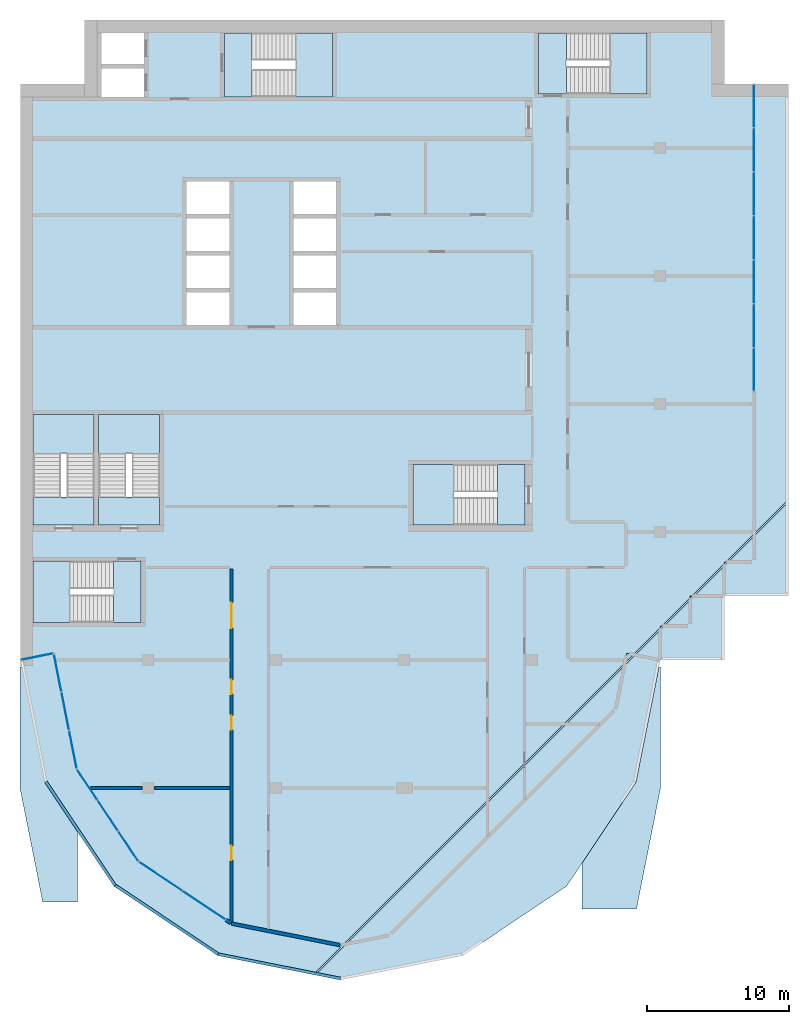
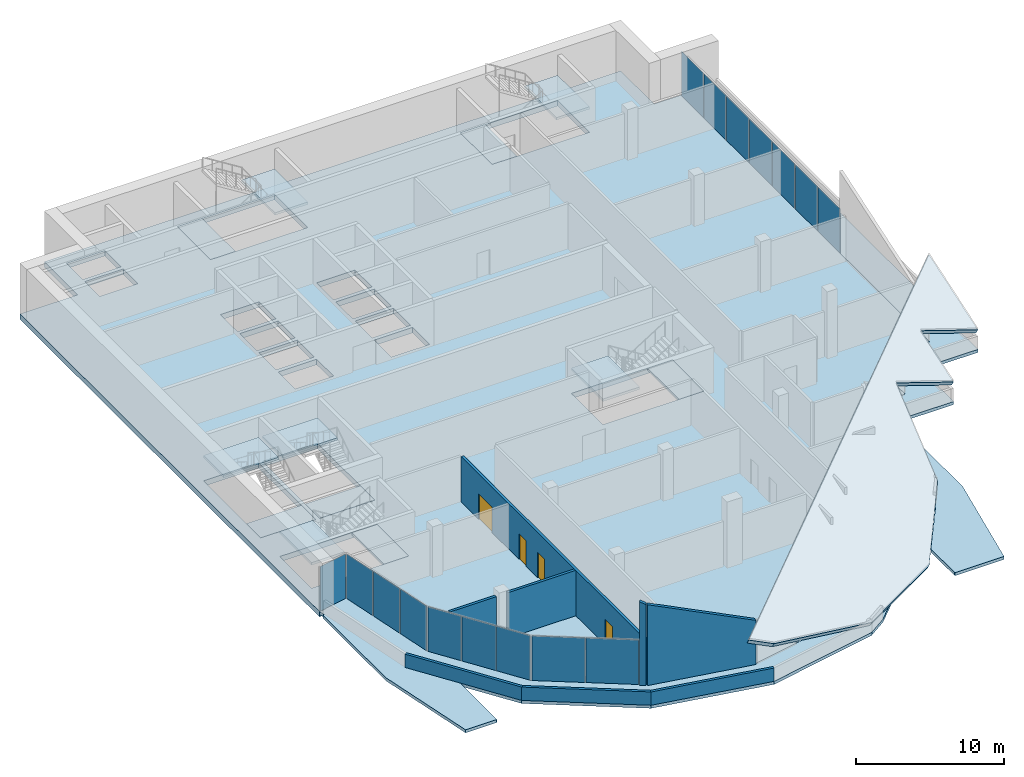
# One storey, part 4 of 11: 16 plates, 15 slabs, 8 walls, 4 doors, 4 openings, 11 elements without a shape of their own.
"""IFC4 building model written with IfcOpenShell, lengths in metres."""

import ifcopenshell
import ifcopenshell.guid

model = None  # the IFC model being written
_history = None  # IfcOwnerHistory: only IFC2X3 demands one
_inside = {}  # id of a spatial element -> (the spatial element, [elements in it])
_under = {}  # id of a project, library or spatial element -> (it, [spatial elements below it])
_declared = {}  # id of a project -> (the project, [libraries it declares])
_typed = {}  # id of a type object -> (the type object, [elements of that type])
_made_of = {}  # id of a material, layer set ... -> (it, [elements and type objects made of it])


def new_model(schema):
    """Start an empty IFC model of exactly this schema.

    Asked for "IFC4X3", IfcOpenShell would pick the latest addendum, in which some entities
    have other attributes; the version numbers below select the first issue.
    IFC2X3 requires an IfcOwnerHistory on every rooted entity: one is made here for all.
    """
    global model, _history
    if schema == "IFC4X3":
        model = ifcopenshell.file(schema_version=(4, 3, 0, 0))
    else:
        model = ifcopenshell.file(schema=schema)
    _inside.clear()
    _under.clear()
    _declared.clear()
    _typed.clear()
    _made_of.clear()
    _history = None
    if model.schema == "IFC2X3":
        org = make("IfcOrganization", Name="unknown")
        user = make(
            "IfcPersonAndOrganization",
            ThePerson=make("IfcPerson", FamilyName="unknown"),
            TheOrganization=org,
        )
        app = make(
            "IfcApplication",
            ApplicationDeveloper=org,
            Version="unknown",
            ApplicationFullName="unknown",
            ApplicationIdentifier="unknown",
        )
        _history = make(
            "IfcOwnerHistory",
            OwningUser=user,
            OwningApplication=app,
            ChangeAction="ADDED",
            CreationDate=0,
        )
    return model


def make(cls, **values):
    """One entity of the class cls with the attributes given. An attribute that is None is left unset."""
    return model.create_entity(
        cls, **{name: value for name, value in values.items() if value is not None}
    )


def rooted(cls, **values):
    """An entity with a GlobalId (a new one), such as an element, a storey or a relation."""
    return make(cls, GlobalId=ifcopenshell.guid.new(), OwnerHistory=_history, **values)


def si_unit(unit_type, name, prefix=None):
    """IfcSIUnit, for example si_unit("LENGTHUNIT", "METRE", prefix="MILLI")."""
    return make("IfcSIUnit", UnitType=unit_type, Prefix=prefix, Name=name)


def assignment(units):
    """IfcUnitAssignment: the units of a project."""
    return None if units is None else make("IfcUnitAssignment", Units=units)


def point(xyz):
    """IfcCartesianPoint."""
    return None if xyz is None else make("IfcCartesianPoint", Coordinates=xyz)


def direction(xyz):
    """IfcDirection."""
    return None if xyz is None else make("IfcDirection", DirectionRatios=xyz)


def frame(location, z_axis=None, x_axis=None):
    """IfcAxis2Placement3D, a coordinate frame: its origin and axes. An axis left out is left unset."""
    return make(
        "IfcAxis2Placement3D",
        Location=point(location),
        Axis=direction(z_axis),
        RefDirection=direction(x_axis),
    )


def frame_2d(location, x_axis=None):
    """IfcAxis2Placement2D, a coordinate frame in the plane: its origin and x axis."""
    return make(
        "IfcAxis2Placement2D", Location=point(location), RefDirection=direction(x_axis)
    )


def origin():
    """The frame at (0, 0, 0) with its axes left unset."""
    return frame((0.0, 0.0, 0.0))


def origin_2d():
    """The frame at (0, 0) in the plane with its x axis left unset."""
    return frame_2d((0.0, 0.0))


def place(relative_to, where):
    """IfcLocalPlacement: puts the frame where relative to a parent placement (None: the world)."""
    return make(
        "IfcLocalPlacement", PlacementRelTo=relative_to, RelativePlacement=where
    )


def context(
    kind, dimensions, precision=None, world=None, true_north=None, identifier=None
):
    """IfcGeometricRepresentationContext, for example the 3D "Model" context."""
    return make(
        "IfcGeometricRepresentationContext",
        ContextIdentifier=identifier,
        ContextType=kind,
        CoordinateSpaceDimension=dimensions,
        Precision=precision,
        WorldCoordinateSystem=world,
        TrueNorth=true_north,
    )


def subcontext(parent, identifier, kind, view, scale=None):
    """IfcGeometricRepresentationSubContext, for example "Body" below "Model"."""
    return make(
        "IfcGeometricRepresentationSubContext",
        ContextIdentifier=identifier,
        ContextType=kind,
        ParentContext=parent,
        TargetScale=scale,
        TargetView=view,
    )


def project(units=None, contexts=None):
    """IfcProject with its units and contexts."""
    return rooted(
        "IfcProject",
        Name="project",
        RepresentationContexts=contexts,
        UnitsInContext=assignment(units),
    )


def spatial(cls, under=None, at=None, **own):
    """A site, building, storey or space (cls), placed at a placement, below another one or the project."""
    s = rooted(cls, ObjectPlacement=at, **own)
    if under is not None:
        _under.setdefault(under.id(), (under, []))[1].append(s)
    return s


def polyline(points):
    """IfcPolyline through the points."""
    return make("IfcPolyline", Points=[point(p) for p in points])


def profile(cls, at=None, kind="AREA", **sizes):
    """A parametric profile (cls). Its sizes go by their IFC names, for example OverallWidth=200.0."""
    return make(cls, ProfileType=kind, Position=at, **sizes)


def rectangle(**sizes):
    """IfcRectangleProfileDef."""
    return profile("IfcRectangleProfileDef", **sizes)


def outline(outer, holes=None, kind="AREA"):
    """IfcArbitraryClosedProfileDef: a profile drawn as a closed curve; with holes, ...WithVoids."""
    if holes is None:
        return make("IfcArbitraryClosedProfileDef", ProfileType=kind, OuterCurve=outer)
    return make(
        "IfcArbitraryProfileDefWithVoids",
        ProfileType=kind,
        OuterCurve=outer,
        InnerCurves=holes,
    )


def extrude(swept, where, along, depth):
    """IfcExtrudedAreaSolid: the profile swept, set in the frame where, extruded along a direction by depth."""
    return make(
        "IfcExtrudedAreaSolid",
        SweptArea=swept,
        Position=where,
        ExtrudedDirection=direction(along),
        Depth=depth,
    )


def shape(context_of_items, identifier, shape_type, items):
    """IfcShapeRepresentation: the items that make up one representation, for example the "Body"."""
    return make(
        "IfcShapeRepresentation",
        ContextOfItems=context_of_items,
        RepresentationIdentifier=identifier,
        RepresentationType=shape_type,
        Items=items,
    )


def material(Name=None, Category=None):
    """IfcMaterial."""
    return make("IfcMaterial", Name=Name, Category=Category)


def layer(
    of_material, thickness, ventilated=None, Name=None, Category=None, Priority=None
):
    """IfcMaterialLayer: one layer of a wall or slab, of a material (None: an air gap)."""
    return make(
        "IfcMaterialLayer",
        Material=of_material,
        LayerThickness=thickness,
        IsVentilated=ventilated,
        Name=Name,
        Category=Category,
        Priority=Priority,
    )


def layer_set(layers, Name=None):
    """IfcMaterialLayerSet."""
    return make("IfcMaterialLayerSet", MaterialLayers=layers, LayerSetName=Name)


def made_of(thing, what):
    """Note that an element or type object is made of a material, layer set ...; save() writes the relation."""
    if what is not None:
        _made_of.setdefault(what.id(), (what, []))[1].append(thing)
    return thing


def type_object(cls, material=None, **own):
    """A type object (cls), such as IfcWallType, which elements share."""
    return made_of(rooted(cls, **own), material)


def element(
    cls,
    number,
    at=None,
    inside=None,
    cuts=None,
    type_object=None,
    material=None,
    context=None,
    identifier="Body",
    shape_type=None,
    held_by="IfcProductDefinitionShape",
    body=None,
    shapes=None,
    **own,
):
    """One element of the class cls, such as IfcWall. Its Tag is "e" and its number.

    at: its placement. inside: the storey or other place that contains it. cuts: it is an
    opening in that element (IfcRelVoidsElement). A single representation is given by context,
    identifier, shape_type and body (its items); several are given by shapes. held_by: the class
    of the entity that holds the representations. save() writes the other relations.
    """
    e = rooted(cls, Tag="e%d" % number, ObjectPlacement=at, **own)
    if body is not None:
        shapes = [shape(context, identifier, shape_type, body)]
    if shapes is not None:
        e.Representation = make(held_by, Representations=shapes)
    if inside is not None:
        _inside.setdefault(inside.id(), (inside, []))[1].append(e)
    if cuts is not None:
        rooted(
            "IfcRelVoidsElement", RelatingBuildingElement=cuts, RelatedOpeningElement=e
        )
    if type_object is not None:
        _typed.setdefault(type_object.id(), (type_object, []))[1].append(e)
    return made_of(e, material)


def fill(opening, filler):
    """IfcRelFillsElement: the door or window that sits in an opening."""
    return rooted(
        "IfcRelFillsElement",
        RelatingOpeningElement=opening,
        RelatedBuildingElement=filler,
    )


def aggregate(whole, parts):
    """IfcRelAggregates: a whole, such as a stair, and the parts it consists of."""
    return rooted("IfcRelAggregates", RelatingObject=whole, RelatedObjects=parts)


def save(model, path):
    """Write the relations noted so far, then the file.

    IfcRelAggregates (storeys below a building ...), IfcRelContainedInSpatialStructure (elements
    in a storey), IfcRelDefinesByType, IfcRelAssociatesMaterial and IfcRelDeclares: one each for
    every whole, place, type object, material and project.
    """
    for whole, parts in _under.values():
        aggregate(whole, parts)
    for where, things in _inside.values():
        rooted(
            "IfcRelContainedInSpatialStructure",
            RelatedElements=things,
            RelatingStructure=where,
        )
    for kind, things in _typed.values():
        rooted("IfcRelDefinesByType", RelatedObjects=things, RelatingType=kind)
    for what, things in _made_of.values():
        rooted("IfcRelAssociatesMaterial", RelatedObjects=things, RelatingMaterial=what)
    for by, libraries in _declared.values():
        rooted("IfcRelDeclares", RelatingContext=by, RelatedDefinitions=libraries)
    model.write(path)


model = new_model("IFC4")

# Units and contexts
model_context = context("Model", 3, precision=1e-05, world=origin(), true_north=direction((0.0, 1.0)))
body_context = subcontext(model_context, "Body", "Model", "MODEL_VIEW")
ifc_project = project(units=[si_unit("LENGTHUNIT", "METRE"), si_unit("AREAUNIT", "SQUARE_METRE"), si_unit("VOLUMEUNIT", "CUBIC_METRE"), si_unit("PLANEANGLEUNIT", "RADIAN"), si_unit("MASSUNIT", "GRAM", prefix="KILO")], contexts=[model_context])

# Site, building, storey
site_placement = place(None, origin())
site = spatial("IfcSite", under=ifc_project, at=site_placement, CompositionType="ELEMENT")
building_placement = place(site_placement, origin())
building = spatial("IfcBuilding", under=site, at=building_placement, Name="Hunhe Ridgeline Campus", CompositionType="ELEMENT")
storey_placement = place(building_placement, frame((0.0, 0.0, 303.0)))
storey = spatial("IfcBuildingStorey", under=building, at=storey_placement, Name="L78 Crown", CompositionType="ELEMENT", Elevation=303.0)

# Curtain wall, plate
ifc_material_1 = material(Name="Aluminium 6063", Category="aluminium")
curtain_wall_type = type_object("IfcCurtainWallType", Name="Curtain wall CW-3", PredefinedType="NOTDEFINED", material=ifc_material_1)
curtain_wall_1_placement = place(storey_placement, origin())
curtain_wall_1 = element("IfcCurtainWall", 1, at=curtain_wall_1_placement, inside=storey, type_object=curtain_wall_type, Name="Curtain wall 01", PredefinedType="NOTDEFINED")
ifc_material_2 = material(Name="Low-e laminated glass", Category="glass")
ifc_layer_1 = layer(ifc_material_2, 0.028076171875)
ifc_layer_set_1 = layer_set([ifc_layer_1], Name="Curtain wall glass panel 28 low-e laminated")
plate_type = type_object("IfcPlateType", Name="Curtain wall glass panel 28 low-e laminated", PredefinedType="CURTAIN_PANEL", material=ifc_layer_set_1)
plate_1_placement = place(storey_placement, frame((1.177490234375, 54.23486328125, 0.0), z_axis=(0.0, 0.0, 1.0), x_axis=(0.980842962855, 0.194800108362, 0.0)))
plate_1 = element("IfcPlate", 2, at=plate_1_placement, type_object=plate_type, Name="CW-3 panel 1", PredefinedType="CURTAIN_PANEL", context=body_context, shape_type="SweptSolid", body=[
    extrude(rectangle(XDim=2.2607421875, YDim=0.028076171875, at=origin_2d()), origin(), (0.0, 0.0, 1.0), 3.679931640625),
])
aggregate(curtain_wall_1, [plate_1])

# Curtain wall, plates
curtain_wall_2_placement = place(storey_placement, origin())
curtain_wall_2 = element("IfcCurtainWall", 3, at=curtain_wall_2_placement, inside=storey, type_object=curtain_wall_type, Name="Curtain wall 02", PredefinedType="NOTDEFINED")
plate_2_placement = place(storey_placement, frame((2.628173828125, 53.094482421875, 0.0), z_axis=(0.0, 0.0, 1.0), x_axis=(0.195095347137, -0.980784280831, 0.0)))
plate_2 = element("IfcPlate", 4, at=plate_2_placement, type_object=plate_type, Name="CW-3 panel 1", PredefinedType="CURTAIN_PANEL", context=body_context, shape_type="SweptSolid", body=[
    extrude(rectangle(XDim=2.662353515625, YDim=0.028076171875, at=origin_2d()), origin(), (0.0, 0.0, 1.0), 3.679931640625),
])
plate_3_placement = place(storey_placement, frame((3.16455078125, 50.3974609375, 0.0), z_axis=(0.0, 0.0, 1.0), x_axis=(0.195095347137, -0.980784280831, 0.0)))
plate_3 = element("IfcPlate", 5, at=plate_3_placement, type_object=plate_type, Name="CW-3 panel 2", PredefinedType="CURTAIN_PANEL", context=body_context, shape_type="SweptSolid", body=[
    extrude(rectangle(XDim=2.697265625, YDim=0.028076171875, at=origin_2d()), origin(), (0.0, 0.0, 1.0), 3.679931640625),
])
plate_4_placement = place(storey_placement, frame((3.700927734375, 47.70068359375, 0.0), z_axis=(0.0, 0.0, 1.0), x_axis=(0.195095347137, -0.980784280831, 0.0)))
plate_4 = element("IfcPlate", 6, at=plate_4_placement, type_object=plate_type, Name="CW-3 panel 3", PredefinedType="CURTAIN_PANEL", context=body_context, shape_type="SweptSolid", body=[
    extrude(rectangle(XDim=2.662353515625, YDim=0.028076171875, at=origin_2d()), origin(), (0.0, 0.0, 1.0), 3.679931640625),
])
aggregate(curtain_wall_2, [plate_2, plate_3, plate_4])

curtain_wall_3_placement = place(storey_placement, origin())
curtain_wall_3 = element("IfcCurtainWall", 7, at=curtain_wall_3_placement, inside=storey, type_object=curtain_wall_type, Name="Curtain wall 03", PredefinedType="NOTDEFINED")
plate_5_placement = place(storey_placement, frame((4.70849609375, 45.227783203125, 0.0), z_axis=(0.0, 0.0, 1.0), x_axis=(0.555570274596, -0.831469584522, 0.0)))
plate_5 = element("IfcPlate", 8, at=plate_5_placement, type_object=plate_type, Name="CW-3 panel 1", PredefinedType="CURTAIN_PANEL", context=body_context, shape_type="SweptSolid", body=[
    extrude(rectangle(XDim=2.5029296875, YDim=0.028076171875, at=origin_2d()), origin(), (0.0, 0.0, 1.0), 3.679931640625),
])
plate_6_placement = place(storey_placement, frame((6.147705078125, 43.07373046875, 0.0), z_axis=(0.0, 0.0, 1.0), x_axis=(0.555570274596, -0.831469584522, 0.0)))
plate_6 = element("IfcPlate", 9, at=plate_6_placement, type_object=plate_type, Name="CW-3 panel 2", PredefinedType="CURTAIN_PANEL", context=body_context, shape_type="SweptSolid", body=[
    extrude(rectangle(XDim=2.537841796875, YDim=0.028076171875, at=origin_2d()), origin(), (0.0, 0.0, 1.0), 3.679931640625),
])
plate_7_placement = place(storey_placement, frame((7.5869140625, 40.919921875, 0.0), z_axis=(0.0, 0.0, 1.0), x_axis=(0.555570274596, -0.831469584522, 0.0)))
plate_7 = element("IfcPlate", 10, at=plate_7_placement, type_object=plate_type, Name="CW-3 panel 3", PredefinedType="CURTAIN_PANEL", context=body_context, shape_type="SweptSolid", body=[
    extrude(rectangle(XDim=2.5029296875, YDim=0.028076171875, at=origin_2d()), origin(), (0.0, 0.0, 1.0), 3.679931640625),
])
aggregate(curtain_wall_3, [plate_5, plate_6, plate_7])

curtain_wall_4_placement = place(storey_placement, origin())
curtain_wall_4 = element("IfcCurtainWall", 11, at=curtain_wall_4_placement, inside=storey, type_object=curtain_wall_type, Name="Curtain wall 04", PredefinedType="NOTDEFINED")
plate_8_placement = place(storey_placement, frame((9.867431640625, 38.787841796875, 0.0), z_axis=(0.0, 0.0, 1.0), x_axis=(0.831469622338, -0.555570218, 0.0)))
plate_8 = element("IfcPlate", 12, at=plate_8_placement, type_object=plate_type, Name="CW-3 panel 1", PredefinedType="CURTAIN_PANEL", context=body_context, shape_type="SweptSolid", body=[
    extrude(rectangle(XDim=3.579345703125, YDim=0.028076171875, at=origin_2d()), origin(), (0.0, 0.0, 1.0), 3.679931640625),
])
plate_9_placement = place(storey_placement, frame((12.90185546875, 36.760498046875, 0.0), z_axis=(0.0, 0.0, 1.0), x_axis=(0.831469622338, -0.555570218, 0.0)))
plate_9 = element("IfcPlate", 13, at=plate_9_placement, type_object=plate_type, Name="CW-3 panel 2", PredefinedType="CURTAIN_PANEL", context=body_context, shape_type="SweptSolid", body=[
    extrude(rectangle(XDim=3.579345703125, YDim=0.028076171875, at=origin_2d()), origin(), (0.0, 0.0, 1.0), 3.679931640625),
])
aggregate(curtain_wall_4, [plate_8, plate_9])

curtain_wall_5_placement = place(storey_placement, origin())
curtain_wall_5 = element("IfcCurtainWall", 14, at=curtain_wall_5_placement, inside=storey, type_object=curtain_wall_type, Name="Curtain wall 05", PredefinedType="NOTDEFINED")
plate_10_placement = place(storey_placement, frame((51.59912109375, 74.43994140625, 0.0), z_axis=(0.0, 0.0, 1.0), x_axis=(0.0, 1.0, 0.0)))
plate_10 = element("IfcPlate", 15, at=plate_10_placement, type_object=plate_type, Name="CW-3 panel 1", PredefinedType="CURTAIN_PANEL", context=body_context, shape_type="SweptSolid", body=[
    extrude(rectangle(XDim=2.98388671875, YDim=0.028076171875, at=origin_2d()), origin(), (0.0, 0.0, 1.0), 3.679931640625),
])
plate_11_placement = place(storey_placement, frame((51.59912109375, 77.511474609375, 0.0), z_axis=(0.0, 0.0, 1.0), x_axis=(0.0, 1.0, 0.0)))
plate_11 = element("IfcPlate", 16, at=plate_11_placement, type_object=plate_type, Name="CW-3 panel 2", PredefinedType="CURTAIN_PANEL", context=body_context, shape_type="SweptSolid", body=[
    extrude(rectangle(XDim=3.018798828125, YDim=0.028076171875, at=origin_2d()), origin(), (0.0, 0.0, 1.0), 3.679931640625),
])
plate_12_placement = place(storey_placement, frame((51.59912109375, 80.60009765625, 0.0), z_axis=(0.0, 0.0, 1.0), x_axis=(0.0, 1.0, 0.0)))
plate_12 = element("IfcPlate", 17, at=plate_12_placement, type_object=plate_type, Name="CW-3 panel 3", PredefinedType="CURTAIN_PANEL", context=body_context, shape_type="SweptSolid", body=[
    extrude(rectangle(XDim=3.018798828125, YDim=0.028076171875, at=origin_2d()), origin(), (0.0, 0.0, 1.0), 3.679931640625),
])
plate_13_placement = place(storey_placement, frame((51.59912109375, 83.68896484375, 0.0), z_axis=(0.0, 0.0, 1.0), x_axis=(0.0, 1.0, 0.0)))
plate_13 = element("IfcPlate", 18, at=plate_13_placement, type_object=plate_type, Name="CW-3 panel 4", PredefinedType="CURTAIN_PANEL", context=body_context, shape_type="SweptSolid", body=[
    extrude(rectangle(XDim=3.018798828125, YDim=0.028076171875, at=origin_2d()), origin(), (0.0, 0.0, 1.0), 3.679931640625),
])
plate_14_placement = place(storey_placement, frame((51.59912109375, 86.77783203125, 0.0), z_axis=(0.0, 0.0, 1.0), x_axis=(0.0, 1.0, 0.0)))
plate_14 = element("IfcPlate", 19, at=plate_14_placement, type_object=plate_type, Name="CW-3 panel 5", PredefinedType="CURTAIN_PANEL", context=body_context, shape_type="SweptSolid", body=[
    extrude(rectangle(XDim=3.018798828125, YDim=0.028076171875, at=origin_2d()), origin(), (0.0, 0.0, 1.0), 3.679931640625),
])
plate_15_placement = place(storey_placement, frame((51.59912109375, 89.86669921875, 0.0), z_axis=(0.0, 0.0, 1.0), x_axis=(0.0, 1.0, 0.0)))
plate_15 = element("IfcPlate", 20, at=plate_15_placement, type_object=plate_type, Name="CW-3 panel 6", PredefinedType="CURTAIN_PANEL", context=body_context, shape_type="SweptSolid", body=[
    extrude(rectangle(XDim=3.018798828125, YDim=0.028076171875, at=origin_2d()), origin(), (0.0, 0.0, 1.0), 3.679931640625),
])
plate_16_placement = place(storey_placement, frame((51.59912109375, 92.93798828125, 0.0), z_axis=(0.0, 0.0, 1.0), x_axis=(0.0, 1.0, 0.0)))
plate_16 = element("IfcPlate", 21, at=plate_16_placement, type_object=plate_type, Name="CW-3 panel 7", PredefinedType="CURTAIN_PANEL", context=body_context, shape_type="SweptSolid", body=[
    extrude(rectangle(XDim=2.98388671875, YDim=0.028076171875, at=origin_2d()), origin(), (0.0, 0.0, 1.0), 3.679931640625),
])
aggregate(curtain_wall_5, [plate_10, plate_11, plate_12, plate_13, plate_14, plate_15, plate_16])

# Slabs
ifc_material_3 = material(Name="Concrete C40", Category="concrete")
ifc_layer_2 = layer(ifc_material_3, 0.449951171875)
ifc_layer_set_2 = layer_set([ifc_layer_2], Name="Floor slab 450 Concrete C40")
slab_type_1 = type_object("IfcSlabType", Name="Floor slab 450 Concrete C40", PredefinedType="FLOOR", material=ifc_layer_set_2)
slab_1_placement = place(storey_placement, frame((0.0, 0.0, -0.449951171875)))
element("IfcSlab", 22, at=slab_1_placement, inside=storey, type_object=slab_type_1, Name="Floor slab L78 Crown 1", PredefinedType="FLOOR", context=body_context, shape_type="SweptSolid", body=[
    extrude(outline(polyline([(22.5, 33.947998046875), (25.95556640625, 34.635498046875), (41.86474609375, 50.54443359375), (42.645263671875, 54.46875), (44.9990234375, 54.001220703125), (44.999267578125, 56.400634765625), (47.09912109375, 56.40087890625), (47.099609375, 58.5009765625), (49.4990234375, 58.5009765625), (49.49951171875, 60.90087890625), (51.59912109375, 60.90087890625), (51.59912109375, 94.5), (49.5, 94.5), (49.5, 99.0), (4.5, 99.0), (4.5, 94.5), (0.0, 94.5), (0.0, 54.0009765625), (2.354736328125, 54.46875), (3.974365234375, 46.326416015625), (8.321044921875, 39.821044921875), (14.826416015625, 35.474365234375), (22.5, 33.947998046875)]), holes=[polyline([(44.050048828125, 98.10009765625), (36.449951171875, 98.10009765625), (36.449951171875, 93.800048828125), (44.050048828125, 93.800048828125), (44.050048828125, 98.10009765625)]), polyline([(27.60009765625, 67.75), (27.60009765625, 63.5), (35.5, 63.5), (35.5, 67.75), (27.60009765625, 67.75)]), polyline([(22.199951171875, 85.35009765625), (22.199951171875, 87.64990234375), (19.199951171875, 87.64990234375), (19.199951171875, 85.35009765625), (22.199951171875, 85.35009765625)]), polyline([(22.199951171875, 85.050048828125), (19.199951171875, 85.050048828125), (19.199951171875, 82.75), (22.199951171875, 82.75), (22.199951171875, 85.050048828125)]), polyline([(19.199951171875, 82.449951171875), (19.199951171875, 80.14990234375), (22.199951171875, 80.14990234375), (22.199951171875, 82.449951171875), (19.199951171875, 82.449951171875)]), polyline([(19.199951171875, 77.550048828125), (22.199951171875, 77.550048828125), (22.199951171875, 79.85009765625), (19.199951171875, 79.85009765625), (19.199951171875, 77.550048828125)]), polyline([(21.949951171875, 98.10009765625), (14.35009765625, 98.10009765625), (14.35009765625, 93.60009765625), (21.949951171875, 93.60009765625), (21.949951171875, 98.10009765625)]), polyline([(14.699951171875, 85.35009765625), (14.699951171875, 87.64990234375), (11.699951171875, 87.64990234375), (11.699951171875, 85.35009765625), (14.699951171875, 85.35009765625)]), polyline([(14.699951171875, 85.050048828125), (11.699951171875, 85.050048828125), (11.699951171875, 82.75), (14.699951171875, 82.75), (14.699951171875, 85.050048828125)]), polyline([(11.699951171875, 82.449951171875), (11.699951171875, 80.14990234375), (14.699951171875, 80.14990234375), (14.699951171875, 82.449951171875), (11.699951171875, 82.449951171875)]), polyline([(11.699951171875, 77.550048828125), (14.699951171875, 77.550048828125), (14.699951171875, 79.85009765625), (11.699951171875, 79.85009765625), (11.699951171875, 77.550048828125)]), polyline([(5.5, 63.5), (9.800048828125, 63.5), (9.800048828125, 71.25), (5.5, 71.25), (5.5, 63.5)]), polyline([(5.699951171875, 98.10009765625), (5.699951171875, 95.89990234375), (8.699951171875, 95.89990234375), (8.699951171875, 98.10009765625), (5.699951171875, 98.10009765625)]), polyline([(5.699951171875, 93.60009765625), (8.699951171875, 93.60009765625), (8.699951171875, 95.60009765625), (5.699951171875, 95.60009765625), (5.699951171875, 93.60009765625)]), polyline([(0.89990234375, 60.949951171875), (0.89990234375, 56.64990234375), (8.5, 56.64990234375), (8.5, 60.949951171875), (0.89990234375, 60.949951171875)]), polyline([(5.199951171875, 63.5), (5.199951171875, 71.25), (0.89990234375, 71.25), (0.89990234375, 63.5), (5.199951171875, 63.5)])]), origin(), (0.0, 0.0, 1.0), 0.449951171875),
])
ifc_layer_3 = layer(ifc_material_3, 0.25)
ifc_layer_set_3 = layer_set([ifc_layer_3], Name="Loggia roof slab 250 Concrete C40")
slab_type_2 = type_object("IfcSlabType", Name="Loggia roof slab 250 Concrete C40", PredefinedType="ROOF", material=ifc_layer_set_3)
slab_2_placement = place(storey_placement, frame((0.0, 0.0, -0.25)))
element("IfcSlab", 23, at=slab_2_placement, inside=storey, type_object=slab_type_2, Name="Loggia roof ledge 1", PredefinedType="ROOF", context=body_context, shape_type="SweptSolid", body=[
    extrude(outline(polyline([(44.904541015625, 53.52001953125), (45.0, 54.0), (49.5, 54.0), (49.5, 58.5), (54.0, 58.5), (54.0, 94.5), (51.59912109375, 94.5), (51.59912109375, 60.90087890625), (49.49951171875, 60.90087890625), (49.4990234375, 58.5009765625), (47.099609375, 58.5009765625), (47.09912109375, 56.40087890625), (44.999267578125, 56.400634765625), (44.9990234375, 54.001220703125), (42.645263671875, 54.46875), (41.025634765625, 46.326416015625), (36.678955078125, 39.821044921875), (30.173583984375, 35.474365234375), (22.5, 33.947998046875), (14.826416015625, 35.474365234375), (8.321044921875, 39.821044921875), (3.974365234375, 46.326416015625), (2.354736328125, 54.46875), (0.0, 54.0009765625), (0.095458984375, 53.52001953125), (-0.00390625, 53.51953125), (-0.015380859375, 53.5126953125), (-0.02001953125, 53.5), (-0.02001953125, 44.998046875), (1.57275390625, 36.992431640625), (1.580078125, 36.9833984375), (1.59130859375, 36.97998046875), (4.0, 36.97998046875), (4.01123046875, 36.9833984375), (4.017578125, 36.990478515625), (4.02001953125, 37.0), (4.02001953125, 41.9365234375), (6.590087890625, 38.090087890625), (13.8896484375, 33.212646484375), (22.5, 31.5), (31.1103515625, 33.212646484375), (32.533447265625, 34.16357421875), (42.263916015625, 43.89404296875), (39.4814453125, 39.729248046875), (39.47998046875, 36.498046875), (39.4873046875, 36.484619140625), (39.5, 36.47998046875), (43.31689453125, 36.4814453125), (43.32470703125, 36.4873046875), (43.328857421875, 36.49609375), (45.02001953125, 44.998046875), (45.02001953125, 53.5), (45.015380859375, 53.5126953125), (45.00390625, 53.51953125), (44.904541015625, 53.52001953125)])), origin(), (0.0, 0.0, 1.0), 0.25),
])

# Stair, slab
stair_type = type_object("IfcStairType", Name="Reinforced concrete dog-leg stair 1950 Concrete C40", PredefinedType="HALF_TURN_STAIR", material=ifc_material_3)
stair_1_placement = place(storey_placement, origin())
stair_1 = element("IfcStair", 24, at=stair_1_placement, inside=storey, type_object=stair_type, Name="L78 Crown S1", PredefinedType="HALF_TURN_STAIR")
ifc_layer_4 = layer(ifc_material_3, 0.199951171875)
ifc_layer_set_4 = layer_set([ifc_layer_4], Name="Reinforced concrete stair landing 200 Concrete C40")
slab_type_3 = type_object("IfcSlabType", Name="Reinforced concrete stair landing 200 Concrete C40", PredefinedType="LANDING", material=ifc_layer_set_4)
slab_3_placement = place(storey_placement, frame((0.0, 0.0, 1.89990234375)))
slab_3 = element("IfcSlab", 25, at=slab_3_placement, type_object=slab_type_3, Name="ST1 landing 1", PredefinedType="LANDING", context=body_context, shape_type="SweptSolid", body=[
    extrude(outline(polyline([(19.3798828125, 93.60009765625), (21.949951171875, 93.60009765625), (21.949951171875, 98.10009765625), (19.3798828125, 98.10009765625), (19.3798828125, 93.60009765625)])), origin(), (0.0, 0.0, 1.0), 0.2001953125),
])
aggregate(stair_1, [slab_3])

# Slab
slab_4_placement = place(storey_placement, frame((0.0, 0.0, -0.199951171875)))
element("IfcSlab", 26, at=slab_4_placement, inside=storey, type_object=slab_type_3, Name="L78 Crown stair S1 floor landing", PredefinedType="LANDING", context=body_context, shape_type="SweptSolid", body=[
    extrude(outline(polyline([(14.35009765625, 93.60009765625), (16.300048828125, 93.60009765625), (16.300048828125, 98.10009765625), (14.35009765625, 98.10009765625), (14.35009765625, 93.60009765625)])), origin(), (0.0, 0.0, 1.0), 0.199951171875),
])

# Stair, slab
stair_2_placement = place(storey_placement, origin())
stair_2 = element("IfcStair", 27, at=stair_2_placement, inside=storey, type_object=stair_type, Name="L78 Crown S2", PredefinedType="HALF_TURN_STAIR")
slab_5_placement = place(storey_placement, frame((0.0, 0.0, 1.89990234375)))
slab_5 = element("IfcSlab", 28, at=slab_5_placement, type_object=slab_type_3, Name="ST2 landing 1", PredefinedType="LANDING", context=body_context, shape_type="SweptSolid", body=[
    extrude(outline(polyline([(30.469970703125, 67.75), (27.60009765625, 67.75), (27.60009765625, 63.5), (30.469970703125, 63.5), (30.469970703125, 67.75)])), origin(), (0.0, 0.0, 1.0), 0.2001953125),
])
aggregate(stair_2, [slab_5])

# Slab
slab_6_placement = place(storey_placement, frame((0.0, 0.0, -0.199951171875)))
element("IfcSlab", 29, at=slab_6_placement, inside=storey, type_object=slab_type_3, Name="L78 Crown stair S2 floor landing", PredefinedType="LANDING", context=body_context, shape_type="SweptSolid", body=[
    extrude(outline(polyline([(35.5, 67.75), (33.550048828125, 67.75), (33.550048828125, 63.5), (35.5, 63.5), (35.5, 67.75)])), origin(), (0.0, 0.0, 1.0), 0.199951171875),
])

# Stair, slab
stair_3_placement = place(storey_placement, origin())
stair_3 = element("IfcStair", 30, at=stair_3_placement, inside=storey, type_object=stair_type, Name="L78 Crown S3", PredefinedType="HALF_TURN_STAIR")
slab_7_placement = place(storey_placement, frame((0.0, 0.0, 1.89990234375)))
slab_7 = element("IfcSlab", 31, at=slab_7_placement, type_object=slab_type_3, Name="ST3 landing 1", PredefinedType="LANDING", context=body_context, shape_type="SweptSolid", body=[
    extrude(outline(polyline([(5.199951171875, 68.530029296875), (5.199951171875, 71.25), (0.89990234375, 71.25), (0.89990234375, 68.530029296875), (5.199951171875, 68.530029296875)])), origin(), (0.0, 0.0, 1.0), 0.2001953125),
])
aggregate(stair_3, [slab_7])

# Slab
slab_8_placement = place(storey_placement, frame((0.0, 0.0, -0.199951171875)))
element("IfcSlab", 32, at=slab_8_placement, inside=storey, type_object=slab_type_3, Name="L78 Crown stair S3 floor landing", PredefinedType="LANDING", context=body_context, shape_type="SweptSolid", body=[
    extrude(outline(polyline([(5.199951171875, 63.5), (5.199951171875, 65.449951171875), (0.89990234375, 65.449951171875), (0.89990234375, 63.5), (5.199951171875, 63.5)])), origin(), (0.0, 0.0, 1.0), 0.199951171875),
])

# Stair, slab
stair_4_placement = place(storey_placement, origin())
stair_4 = element("IfcStair", 33, at=stair_4_placement, inside=storey, type_object=stair_type, Name="L78 Crown S4", PredefinedType="HALF_TURN_STAIR")
slab_9_placement = place(storey_placement, frame((0.0, 0.0, 1.89990234375)))
slab_9 = element("IfcSlab", 34, at=slab_9_placement, type_object=slab_type_3, Name="ST4 landing 1", PredefinedType="LANDING", context=body_context, shape_type="SweptSolid", body=[
    extrude(outline(polyline([(9.800048828125, 68.530029296875), (9.800048828125, 71.25), (5.5, 71.25), (5.5, 68.530029296875), (9.800048828125, 68.530029296875)])), origin(), (0.0, 0.0, 1.0), 0.2001953125),
])
aggregate(stair_4, [slab_9])

# Slab
slab_10_placement = place(storey_placement, frame((0.0, 0.0, -0.199951171875)))
element("IfcSlab", 35, at=slab_10_placement, inside=storey, type_object=slab_type_3, Name="L78 Crown stair S4 floor landing", PredefinedType="LANDING", context=body_context, shape_type="SweptSolid", body=[
    extrude(outline(polyline([(9.800048828125, 63.5), (9.800048828125, 65.449951171875), (5.5, 65.449951171875), (5.5, 63.5), (9.800048828125, 63.5)])), origin(), (0.0, 0.0, 1.0), 0.199951171875),
])

# Stair, slab
stair_5_placement = place(storey_placement, origin())
stair_5 = element("IfcStair", 36, at=stair_5_placement, inside=storey, type_object=stair_type, Name="L78 Crown E1", PredefinedType="HALF_TURN_STAIR")
slab_11_placement = place(storey_placement, frame((0.0, 0.0, 1.89990234375)))
slab_11 = element("IfcSlab", 37, at=slab_11_placement, type_object=slab_type_3, Name="ST5 landing 1", PredefinedType="LANDING", context=body_context, shape_type="SweptSolid", body=[
    extrude(outline(polyline([(41.47998046875, 93.800048828125), (44.050048828125, 93.800048828125), (44.050048828125, 98.10009765625), (41.47998046875, 98.10009765625), (41.47998046875, 93.800048828125)])), origin(), (0.0, 0.0, 1.0), 0.2001953125),
])
aggregate(stair_5, [slab_11])

# Slab
slab_12_placement = place(storey_placement, frame((0.0, 0.0, -0.199951171875)))
element("IfcSlab", 38, at=slab_12_placement, inside=storey, type_object=slab_type_3, Name="L78 Crown stair E1 floor landing", PredefinedType="LANDING", context=body_context, shape_type="SweptSolid", body=[
    extrude(outline(polyline([(36.449951171875, 93.800048828125), (38.39990234375, 93.800048828125), (38.39990234375, 98.10009765625), (36.449951171875, 98.10009765625), (36.449951171875, 93.800048828125)])), origin(), (0.0, 0.0, 1.0), 0.199951171875),
])

# Stair, slab
stair_6_placement = place(storey_placement, origin())
stair_6 = element("IfcStair", 39, at=stair_6_placement, inside=storey, type_object=stair_type, Name="L78 Crown W2", PredefinedType="HALF_TURN_STAIR")
slab_13_placement = place(storey_placement, frame((0.0, 0.0, 1.89990234375)))
slab_13 = element("IfcSlab", 40, at=slab_13_placement, type_object=slab_type_3, Name="ST12 landing 1", PredefinedType="LANDING", context=body_context, shape_type="SweptSolid", body=[
    extrude(outline(polyline([(3.469970703125, 60.949951171875), (0.89990234375, 60.949951171875), (0.89990234375, 56.64990234375), (3.469970703125, 56.64990234375), (3.469970703125, 60.949951171875)])), origin(), (0.0, 0.0, 1.0), 0.2001953125),
])
aggregate(stair_6, [slab_13])

# Slabs
slab_14_placement = place(storey_placement, frame((0.0, 0.0, -0.199951171875)))
element("IfcSlab", 41, at=slab_14_placement, inside=storey, type_object=slab_type_3, Name="L78 Crown stair W2 floor landing", PredefinedType="LANDING", context=body_context, shape_type="SweptSolid", body=[
    extrude(outline(polyline([(8.5, 60.949951171875), (6.550048828125, 60.949951171875), (6.550048828125, 56.64990234375), (8.5, 56.64990234375), (8.5, 60.949951171875)])), origin(), (0.0, 0.0, 1.0), 0.199951171875),
])
ifc_layer_5 = layer(ifc_material_3, 0.300048828125)
ifc_layer_set_5 = layer_set([ifc_layer_5], Name="Roof slab 300 Concrete C40")
slab_type_4 = type_object("IfcSlabType", Name="Roof slab 300 Concrete C40", PredefinedType="ROOF", material=ifc_layer_set_5)
slab_15_placement = place(storey_placement, frame((43.287353515625, 45.3896484375, 0.807373046875), z_axis=(0.301532141962, -0.301533625425, 0.904519673696), x_axis=(0.188722304227, 0.948780580223, 0.253375812735)))
element("IfcSlab", 42, at=slab_15_placement, inside=storey, type_object=slab_type_4, Name="Crown roof slab 1", PredefinedType="ROOF", context=body_context, shape_type="SweptSolid", body=[
    extrude(outline(polyline([(0.0, 0.0), (9.075140105418061, 1.1102230246251565e-16), (9.544326755339114, -4.720155068880824), (14.19390308544432, -3.78130474231688), (14.663089735365375, -8.501459811197703), (21.5045567371135, -7.119971709601332), (-16.339353313405073, 20.835875650439004), (-16.518674794713235, 18.906523711584402), (-13.85137484563638, 10.232212273900771), (-8.050732073889884, 3.5931299941496166), (0.0, 0.0)])), origin(), (0.0, 0.0, -1.0), 0.300048828125),
])

# Walls
ifc_material_4 = material(Name="Gypsum board partition")
ifc_layer_6 = layer(ifc_material_4, 0.199951171875)
ifc_layer_set_6 = layer_set([ifc_layer_6], Name="Corridor partition 200 gypsum board on steel studs")
wall_type_1 = type_object("IfcWallType", Name="Corridor partition 200 gypsum board on steel studs", PredefinedType="PARTITIONING", material=ifc_layer_set_6)
wall_1_placement = place(storey_placement, frame((4.925537109375, 45.0, 0.0), z_axis=(0.0, 0.0, 1.0), x_axis=(1.0, 0.0, 0.0)))
element("IfcWall", 43, at=wall_1_placement, inside=storey, type_object=wall_type_1, Name="F-L78 Crown-wall-001", PredefinedType="PARTITIONING", context=body_context, shape_type="SweptSolid", body=[
    extrude(rectangle(XDim=3.62451171875, YDim=0.199951171875, at=frame_2d((1.812255859375, 0.0))), origin(), (0.0, 0.0, 1.0), 3.75),
])
wall_2_placement = place(storey_placement, frame((9.449951171875, 45.0, 0.0), z_axis=(0.0, 0.0, 1.0), x_axis=(1.0, 0.0, 0.0)))
element("IfcWall", 44, at=wall_2_placement, inside=storey, type_object=wall_type_1, Name="F-L78 Crown-wall-002", PredefinedType="PARTITIONING", context=body_context, shape_type="SweptSolid", body=[
    extrude(rectangle(XDim=5.300048828125, YDim=0.199951171875, at=frame_2d((2.64990234375, 0.0))), origin(), (0.0, 0.0, 1.0), 3.75),
])

# Wall, openings, doors
wall_3_placement = place(storey_placement, frame((14.85009765625, 35.59765625, 0.0), z_axis=(0.0, 0.0, 1.0), x_axis=(0.0, 1.0, 0.0)))
wall_3 = element("IfcWall", 45, at=wall_3_placement, inside=storey, type_object=wall_type_1, Name="F-L78 Crown-wall-027", PredefinedType="PARTITIONING", context=body_context, shape_type="SweptSolid", body=[
    extrude(rectangle(XDim=24.80224609375, YDim=0.199951171875, at=frame_2d((12.401123046875, 0.0))), origin(), (0.0, 0.0, 1.0), 3.75),
])
opening_1_placement = place(wall_3_placement, frame((4.326904296875, 0.0, 0.0)))
opening_1 = element("IfcOpeningElement", 46, at=opening_1_placement, cuts=wall_3, Name="Opening RD1-002", PredefinedType="OPENING", context=body_context, shape_type="SweptSolid", body=[
    extrude(rectangle(XDim=1.0, YDim=2.10009765625, at=frame_2d((0.5, 1.050048828125))), frame((0.0, 0.10009765625, 0.0), z_axis=(0.0, -1.0, 0.0), x_axis=(1.0, 0.0, 0.0)), (0.0, 0.0, 1.0), 0.199951171875),
])
opening_2_placement = place(wall_3_placement, frame((13.497802734375, 0.0, 0.0)))
opening_2 = element("IfcOpeningElement", 47, at=opening_2_placement, cuts=wall_3, Name="Opening RD1-006", PredefinedType="OPENING", context=body_context, shape_type="SweptSolid", body=[
    extrude(rectangle(XDim=1.0, YDim=2.10009765625, at=frame_2d((0.5, 1.050048828125))), frame((0.0, 0.10009765625, 0.0), z_axis=(0.0, -1.0, 0.0), x_axis=(1.0, 0.0, 0.0)), (0.0, 0.0, 1.0), 0.199951171875),
])
opening_3_placement = place(wall_3_placement, frame((15.997802734375, 0.0, 0.0)))
opening_3 = element("IfcOpeningElement", 48, at=opening_3_placement, cuts=wall_3, Name="Opening RD1-008", PredefinedType="OPENING", context=body_context, shape_type="SweptSolid", body=[
    extrude(rectangle(XDim=1.0, YDim=2.10009765625, at=frame_2d((0.5, 1.050048828125))), frame((0.0, 0.10009765625, 0.0), z_axis=(0.0, -1.0, 0.0), x_axis=(1.0, 0.0, 0.0)), (0.0, 0.0, 1.0), 0.199951171875),
])
opening_4_placement = place(wall_3_placement, frame((20.635986328125, 0.0, 0.0)))
opening_4 = element("IfcOpeningElement", 49, at=opening_4_placement, cuts=wall_3, Name="Opening RD2-010", PredefinedType="OPENING", context=body_context, shape_type="SweptSolid", body=[
    extrude(rectangle(XDim=1.800048828125, YDim=2.10009765625, at=frame_2d((0.89990234375, 1.050048828125))), frame((0.0, 0.10009765625, 0.0), z_axis=(0.0, -1.0, 0.0), x_axis=(1.0, 0.0, 0.0)), (0.0, 0.0, 1.0), 0.199951171875),
])
ifc_material_5 = material(Name="Timber door leaf", Category="wood")
door_type_1 = type_object("IfcDoorType", Name="Double fire door 1800x2100 timber FD60", OperationType="DOUBLE_DOOR_SINGLE_SWING", PredefinedType="DOOR", material=ifc_material_5)
door_1_placement = place(opening_4_placement, origin())
door_1 = element("IfcDoor", 50, at=door_1_placement, inside=storey, type_object=door_type_1, Name="F-L78 Crown-door-010", OperationType="DOUBLE_DOOR_SINGLE_SWING", OverallHeight=2.10009765625, OverallWidth=1.800048828125, PredefinedType="DOOR", context=body_context, shape_type="SweptSolid", body=[
    extrude(rectangle(XDim=1.800048828125, YDim=2.10009765625, at=frame_2d((0.89990234375, 1.050048828125))), frame((0.0, 0.02490234375, 0.0), z_axis=(0.0, -1.0, 0.0), x_axis=(1.0, 0.0, 0.0)), (0.0, 0.0, 1.0), 0.050048828125),
])
fill(opening_4, door_1)
door_type_2 = type_object("IfcDoorType", Name="Single fire door 1000x2100 timber FD60", OperationType="NOTDEFINED", PredefinedType="DOOR", material=ifc_material_5)
door_2_placement = place(opening_1_placement, frame((1.0, 0.0, 0.0), z_axis=(0.0, 0.0, 1.0), x_axis=(-1.0, 0.0, 0.0)))
door_2 = element("IfcDoor", 51, at=door_2_placement, inside=storey, type_object=door_type_2, Name="F-L78 Crown-door-002", OperationType="SINGLE_SWING_RIGHT", OverallHeight=2.10009765625, OverallWidth=1.0, PredefinedType="DOOR", context=body_context, shape_type="SweptSolid", body=[
    extrude(rectangle(XDim=1.0, YDim=2.10009765625, at=frame_2d((0.5, 1.050048828125))), frame((0.0, 0.02490234375, 0.0), z_axis=(0.0, -1.0, 0.0), x_axis=(1.0, 0.0, 0.0)), (0.0, 0.0, 1.0), 0.050048828125),
])
fill(opening_1, door_2)
door_3_placement = place(opening_2_placement, frame((1.0, 0.0, 0.0), z_axis=(0.0, 0.0, 1.0), x_axis=(-1.0, 0.0, 0.0)))
door_3 = element("IfcDoor", 52, at=door_3_placement, inside=storey, type_object=door_type_2, Name="F-L78 Crown-door-006", OperationType="SINGLE_SWING_LEFT", OverallHeight=2.10009765625, OverallWidth=1.0, PredefinedType="DOOR", context=body_context, shape_type="SweptSolid", body=[
    extrude(rectangle(XDim=1.0, YDim=2.10009765625, at=frame_2d((0.5, 1.050048828125))), frame((0.0, 0.02490234375, 0.0), z_axis=(0.0, -1.0, 0.0), x_axis=(1.0, 0.0, 0.0)), (0.0, 0.0, 1.0), 0.050048828125),
])
fill(opening_2, door_3)
door_4_placement = place(opening_3_placement, frame((1.0, 0.0, 0.0), z_axis=(0.0, 0.0, 1.0), x_axis=(-1.0, 0.0, 0.0)))
door_4 = element("IfcDoor", 53, at=door_4_placement, inside=storey, type_object=door_type_2, Name="F-L78 Crown-door-008", OperationType="SINGLE_SWING_LEFT", OverallHeight=2.10009765625, OverallWidth=1.0, PredefinedType="DOOR", context=body_context, shape_type="SweptSolid", body=[
    extrude(rectangle(XDim=1.0, YDim=2.10009765625, at=frame_2d((0.5, 1.050048828125))), frame((0.0, 0.02490234375, 0.0), z_axis=(0.0, -1.0, 0.0), x_axis=(1.0, 0.0, 0.0)), (0.0, 0.0, 1.0), 0.050048828125),
])
fill(opening_3, door_4)

# Walls
ifc_material_6 = material(Name="Concrete C50", Category="concrete")
ifc_layer_7 = layer(ifc_material_6, 0.25)
ifc_layer_set_7 = layer_set([ifc_layer_7], Name="Crown cladding wall 250 Concrete C50")
wall_type_2 = type_object("IfcWallType", Name="Crown cladding wall 250 Concrete C50", PredefinedType="SOLIDWALL", material=ifc_layer_set_7)
wall_4_placement = place(storey_placement, frame((14.447998046875, 35.727294921875, 0.0), z_axis=(0.0, 0.0, 1.0), x_axis=(0.831245118642, -0.555906064668, 0.0)))
element("IfcWall", 54, at=wall_4_placement, inside=storey, type_object=wall_type_2, Name="Crown cladding wall", PredefinedType="SOLIDWALL", context=body_context, shape_type="SweptSolid", body=[
    extrude(outline(polyline([(0.0, 0.0), (0.42041015625, 0.0), (0.420166015625, 6.705810546875), (0.0, 6.89990234375), (0.0, 0.0)])), frame((0.0, 0.125, 0.0), z_axis=(0.0, -1.0, 0.0), x_axis=(1.0, 0.0, 0.0)), (0.0, 0.0, 1.0), 0.25),
])
wall_5_placement = place(storey_placement, frame((14.860595703125, 35.467529296875, 0.0), z_axis=(0.0, 0.0, 1.0), x_axis=(0.980787203075, -0.195080655846, 0.0)))
element("IfcWall", 55, at=wall_5_placement, inside=storey, type_object=wall_type_2, Name="Crown cladding wall", PredefinedType="SOLIDWALL", context=body_context, shape_type="SweptSolid", body=[
    extrude(outline(polyline([(0.0, 0.0), (7.754150390625, 0.0), (7.754150390625, 3.636474609375), (0.0, 6.676025390625), (0.0, 0.0)])), frame((0.0, 0.125, 0.0), z_axis=(0.0, -1.0, 0.0), x_axis=(1.0, 0.0, 0.0)), (0.0, 0.0, 1.0), 0.25),
])
ifc_material_7 = material(Name="Concrete C30", Category="concrete")
ifc_layer_8 = layer(ifc_material_7, 0.199951171875)
ifc_layer_set_8 = layer_set([ifc_layer_8], Name="Roof parapet wall 200 Concrete C30")
wall_type_3 = type_object("IfcWallType", Name="Roof parapet wall 200 Concrete C30", PredefinedType="PARAPET", material=ifc_layer_set_8)
for number, where, z_axis, x_axis, name in (
    (56, (1.7958984375, 45.445068359375, 0.0), (0.0, 0.0, 1.0), (0.555585519297, -0.831459398135, 0.0), "Roof parapet 2"),
    (57, (6.645751953125, 38.17333984375, 0.0), (0.0, 0.0, 1.0), (0.831459398135, -0.555585519297, 0.0), "Roof parapet 3"),
):
    element("IfcWall", number, at=place(storey_placement, frame(where, z_axis=z_axis, x_axis=x_axis)), inside=storey, type_object=wall_type_3, Name=name, PredefinedType="PARAPET", context=body_context, shape_type="SweptSolid", body=[
        extrude(rectangle(XDim=8.77880859375, YDim=0.199951171875, at=frame_2d((4.389404296875, 0.0))), origin(), (0.0, 0.0, 1.0), 1.10009765625),
    ])
wall_6_placement = place(storey_placement, frame((13.9091796875, 33.310791015625, 0.0), z_axis=(0.0, 0.0, 1.0), x_axis=(0.980786564756, -0.195083865027, 0.0)))
element("IfcWall", 58, at=wall_6_placement, inside=storey, type_object=wall_type_3, Name="Roof parapet 4", PredefinedType="PARAPET", context=body_context, shape_type="SweptSolid", body=[
    extrude(rectangle(XDim=8.779052734375, YDim=0.199951171875, at=frame_2d((4.3896484375, 0.0))), origin(), (0.0, 0.0, 1.0), 1.10009765625),
])

save(model, "model.ifc")
